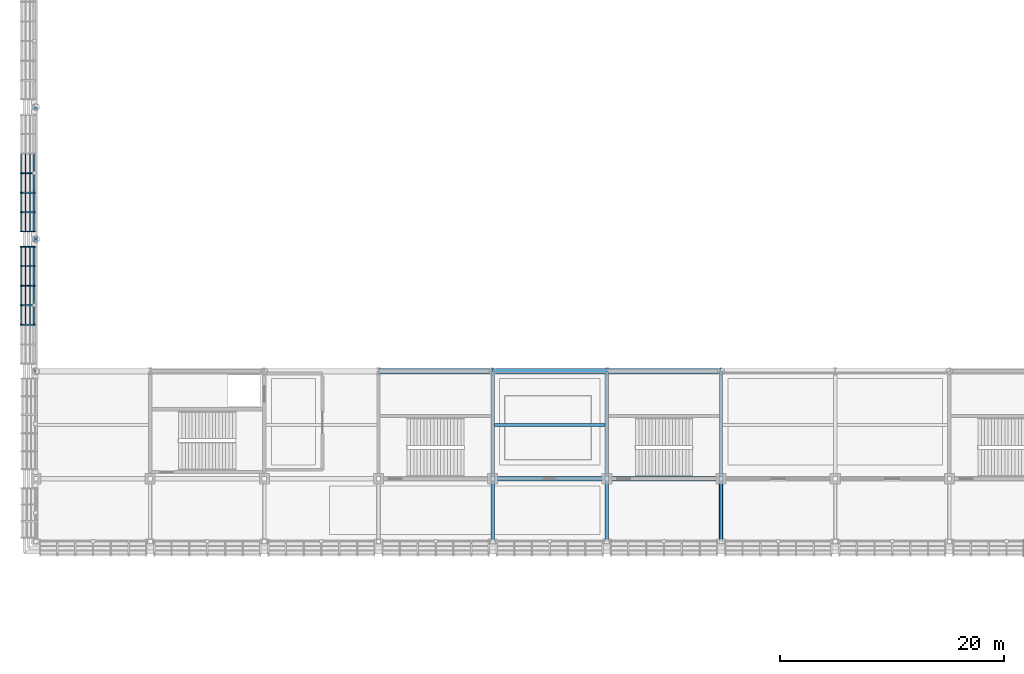
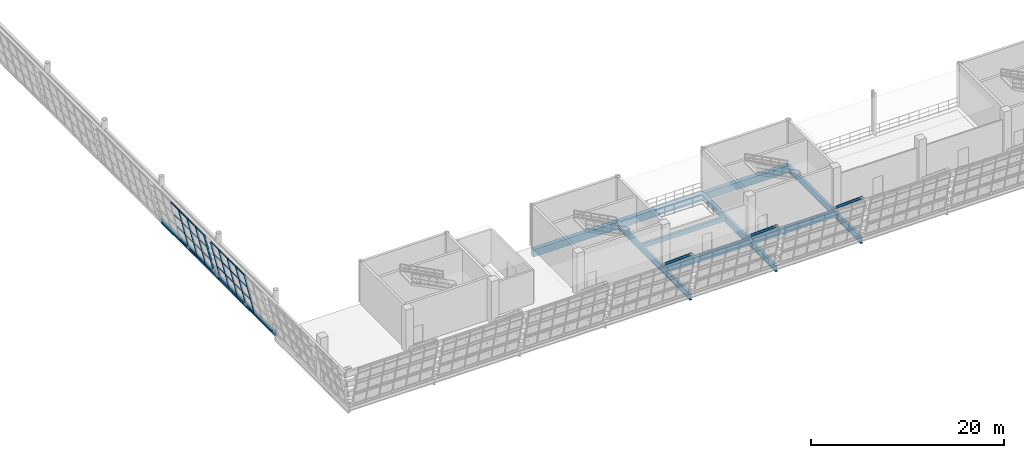
# One storey, part 26 of 175: 44 members, 11 beams, 2 elements without a shape of their own.
"""IFC4 building model written with IfcOpenShell, lengths in metres."""

from ifc_helpers import new_model, si_unit, direction, frame, origin, origin_2d, place, context, subcontext, project, spatial, rectangle, hollow_rectangle, hollow_circle, i_section, extrude, material, material_profile, profile_set, type_object, element, aggregate, save


model = new_model("IFC4")

# Units and contexts
model_context = context("Model", 3, precision=1e-05, world=origin(), true_north=direction((0.0, 1.0)))
body_context = subcontext(model_context, "Body", "Model", "MODEL_VIEW")
ifc_project = project(units=[si_unit("LENGTHUNIT", "METRE"), si_unit("AREAUNIT", "SQUARE_METRE"), si_unit("VOLUMEUNIT", "CUBIC_METRE"), si_unit("PLANEANGLEUNIT", "RADIAN"), si_unit("MASSUNIT", "GRAM", prefix="KILO")], contexts=[model_context])

# Site, building, storey
site_placement = place(None, origin())
site = spatial("IfcSite", under=ifc_project, at=site_placement, CompositionType="ELEMENT")
building_placement = place(site_placement, origin())
building = spatial("IfcBuilding", under=site, at=building_placement, Name="Brelvane Convention Centre", CompositionType="ELEMENT")
storey_placement = place(building_placement, frame((0.0, 0.0, 5.39990234375)))
storey = spatial("IfcBuildingStorey", under=building, at=storey_placement, Name="L01", CompositionType="ELEMENT", Elevation=5.39990234375)

# Curtain wall, members
ifc_material_1 = material(Name="Anodised Aluminium Alloy 6063-T6", Category="aluminium")
curtain_wall_type = type_object("IfcCurtainWallType", Name="Curtain Wall CW-HULL-S", PredefinedType="USERDEFINED", material=ifc_material_1)
curtain_wall_1_placement = place(storey_placement, origin())
curtain_wall_1 = element("IfcCurtainWall", 1, at=curtain_wall_1_placement, inside=storey, type_object=curtain_wall_type, Name="Curtain Wall CW-HULL-S L01-HULL-W-L01-1", ObjectType="UNITISED", PredefinedType="USERDEFINED")
ifc_material_2 = material(Name="Anodised Aluminium Alloy 6063-T6", Category="aluminium")
ifc_material_profile_1 = material_profile(ifc_material_2, hollow_rectangle(XDim=0.074951171875, YDim=0.199951171875, WallThickness=0.0048828125, InnerFilletRadius=0.0048828125, OuterFilletRadius=0.010009765625, at=origin_2d()), Name="ALU-M 200x75x5.0")
ifc_profile_set_1 = profile_set([ifc_material_profile_1], Name="Anodised Aluminium Alloy 6063-T6")
member_type_1 = type_object("IfcMemberType", Name="Curtain Mullion CW-M2", PredefinedType="MULLION", material=ifc_profile_set_1)
member_1_placement = place(storey_placement, frame((-0.139892578125, 32.949951171875, 0.02001953125), z_axis=(-0.228384734386, 0.0, 0.973570959458), x_axis=(0.0, -1.0, 0.0)))
member_1 = element("IfcMember", 2, at=member_1_placement, type_object=member_type_1, Name="CW-HULL-S mullion 3", PredefinedType="MULLION", context=body_context, shape_type="SweptSolid", body=[
    extrude(hollow_rectangle(XDim=0.074951171875, YDim=0.199951171875, WallThickness=0.0048828125, InnerFilletRadius=0.0048828125, OuterFilletRadius=0.010009765625, at=origin_2d()), origin(), (0.0, 0.0, 1.0), 5.197509765625),
])
member_2_placement = place(storey_placement, frame((-0.139892578125, 34.699951171875, 0.02001953125), z_axis=(-0.228384734386, 0.0, 0.973570959458), x_axis=(0.0, -1.0, 0.0)))
member_2 = element("IfcMember", 3, at=member_2_placement, type_object=member_type_1, Name="CW-HULL-S mullion 4", PredefinedType="MULLION", context=body_context, shape_type="SweptSolid", body=[
    extrude(hollow_rectangle(XDim=0.074951171875, YDim=0.199951171875, WallThickness=0.0048828125, InnerFilletRadius=0.0048828125, OuterFilletRadius=0.010009765625, at=origin_2d()), origin(), (0.0, 0.0, 1.0), 5.197509765625),
])
member_3_placement = place(storey_placement, frame((-0.139892578125, 36.449951171875, 0.02001953125), z_axis=(-0.228384734386, 0.0, 0.973570959458), x_axis=(0.0, -1.0, 0.0)))
member_3 = element("IfcMember", 4, at=member_3_placement, type_object=member_type_1, Name="CW-HULL-S mullion 5", PredefinedType="MULLION", context=body_context, shape_type="SweptSolid", body=[
    extrude(hollow_rectangle(XDim=0.074951171875, YDim=0.199951171875, WallThickness=0.0048828125, InnerFilletRadius=0.0048828125, OuterFilletRadius=0.010009765625, at=origin_2d()), origin(), (0.0, 0.0, 1.0), 5.197509765625),
])
member_4_placement = place(storey_placement, frame((-0.139892578125, 38.199951171875, 0.02001953125), z_axis=(-0.228384734386, 0.0, 0.973570959458), x_axis=(0.0, -1.0, 0.0)))
member_4 = element("IfcMember", 5, at=member_4_placement, type_object=member_type_1, Name="CW-HULL-S mullion 6", PredefinedType="MULLION", context=body_context, shape_type="SweptSolid", body=[
    extrude(hollow_rectangle(XDim=0.074951171875, YDim=0.199951171875, WallThickness=0.0048828125, InnerFilletRadius=0.0048828125, OuterFilletRadius=0.010009765625, at=origin_2d()), origin(), (0.0, 0.0, 1.0), 5.197509765625),
])
member_5_placement = place(storey_placement, frame((-0.139892578125, 39.91259765625, 0.02001953125), z_axis=(-0.228384734386, 0.0, 0.973570959458), x_axis=(0.0, -1.0, 0.0)))
member_5 = element("IfcMember", 6, at=member_5_placement, type_object=member_type_1, Name="CW-HULL-S mullion 7", PredefinedType="MULLION", context=body_context, shape_type="SweptSolid", body=[
    extrude(hollow_rectangle(XDim=0.074951171875, YDim=0.199951171875, WallThickness=0.0048828125, InnerFilletRadius=0.0048828125, OuterFilletRadius=0.010009765625, at=origin_2d()), origin(), (0.0, 0.0, 1.0), 5.197509765625),
])

curtain_wall_2_placement = place(storey_placement, origin())
curtain_wall_2 = element("IfcCurtainWall", 7, at=curtain_wall_2_placement, inside=storey, type_object=curtain_wall_type, Name="Curtain Wall CW-HULL-S L01-HULL-W-L01-2", ObjectType="UNITISED", PredefinedType="USERDEFINED")
member_6_placement = place(storey_placement, frame((-0.139892578125, 41.28759765625, 0.02001953125), z_axis=(-0.228384734386, 0.0, 0.973570959458), x_axis=(0.0, -1.0, 0.0)))
member_6 = element("IfcMember", 8, at=member_6_placement, type_object=member_type_1, Name="CW-HULL-S mullion 1", PredefinedType="MULLION", context=body_context, shape_type="SweptSolid", body=[
    extrude(hollow_rectangle(XDim=0.074951171875, YDim=0.199951171875, WallThickness=0.0048828125, InnerFilletRadius=0.0048828125, OuterFilletRadius=0.010009765625, at=origin_2d()), origin(), (0.0, 0.0, 1.0), 5.197509765625),
])
member_7_placement = place(storey_placement, frame((-0.139892578125, 43.0, 0.02001953125), z_axis=(-0.228384734386, 0.0, 0.973570959458), x_axis=(0.0, -1.0, 0.0)))
member_7 = element("IfcMember", 9, at=member_7_placement, type_object=member_type_1, Name="CW-HULL-S mullion 2", PredefinedType="MULLION", context=body_context, shape_type="SweptSolid", body=[
    extrude(hollow_rectangle(XDim=0.074951171875, YDim=0.199951171875, WallThickness=0.0048828125, InnerFilletRadius=0.0048828125, OuterFilletRadius=0.010009765625, at=origin_2d()), origin(), (0.0, 0.0, 1.0), 5.197509765625),
])
member_8_placement = place(storey_placement, frame((-0.139892578125, 44.75, 0.02001953125), z_axis=(-0.228384734386, 0.0, 0.973570959458), x_axis=(0.0, -1.0, 0.0)))
member_8 = element("IfcMember", 10, at=member_8_placement, type_object=member_type_1, Name="CW-HULL-S mullion 3", PredefinedType="MULLION", context=body_context, shape_type="SweptSolid", body=[
    extrude(hollow_rectangle(XDim=0.074951171875, YDim=0.199951171875, WallThickness=0.0048828125, InnerFilletRadius=0.0048828125, OuterFilletRadius=0.010009765625, at=origin_2d()), origin(), (0.0, 0.0, 1.0), 5.197509765625),
])
member_9_placement = place(storey_placement, frame((-0.139892578125, 46.5, 0.02001953125), z_axis=(-0.228384734386, 0.0, 0.973570959458), x_axis=(0.0, -1.0, 0.0)))
member_9 = element("IfcMember", 11, at=member_9_placement, type_object=member_type_1, Name="CW-HULL-S mullion 4", PredefinedType="MULLION", context=body_context, shape_type="SweptSolid", body=[
    extrude(hollow_rectangle(XDim=0.074951171875, YDim=0.199951171875, WallThickness=0.0048828125, InnerFilletRadius=0.0048828125, OuterFilletRadius=0.010009765625, at=origin_2d()), origin(), (0.0, 0.0, 1.0), 5.197509765625),
])

# Member
ifc_material_3 = material(Name="Anodised Aluminium Alloy 6063-T6", Category="aluminium")
ifc_material_profile_2 = material_profile(ifc_material_3, hollow_rectangle(XDim=0.070068359375, YDim=0.14990234375, WallThickness=0.00439453125, InnerFilletRadius=0.00439453125, OuterFilletRadius=0.009033203125, at=origin_2d()), Name="ALU-T 150x70x4.5")
ifc_profile_set_2 = profile_set([ifc_material_profile_2], Name="Anodised Aluminium Alloy 6063-T6")
member_type_2 = type_object("IfcMemberType", Name="Curtain Transom CW-T2", PredefinedType="USERDEFINED", material=ifc_profile_set_2)
member_10_placement = place(storey_placement, frame((-0.148193359375, 32.987548828125, 0.05517578125), z_axis=(0.0, 1.0, 0.0), x_axis=(-1.0, 0.0, 0.0)))
member_10 = element("IfcMember", 12, at=member_10_placement, type_object=member_type_2, Name="CW-HULL-S transom 3.1", ObjectType="TRANSOM", PredefinedType="USERDEFINED", context=body_context, shape_type="SweptSolid", body=[
    extrude(hollow_rectangle(XDim=0.070068359375, YDim=0.14990234375, WallThickness=0.00439453125, InnerFilletRadius=0.00439453125, OuterFilletRadius=0.009033203125, at=origin_2d()), origin(), (0.0, 0.0, 1.0), 1.675048828125),
])

member_11_placement = place(storey_placement, frame((-0.53564453125, 32.987548828125, 1.706787109375), z_axis=(0.0, 1.0, 0.0), x_axis=(-1.0, 0.0, 0.0)))
member_11 = element("IfcMember", 13, at=member_11_placement, type_object=member_type_2, Name="CW-HULL-S transom 3.2", ObjectType="TRANSOM", PredefinedType="USERDEFINED", context=body_context, shape_type="SweptSolid", body=[
    extrude(hollow_rectangle(XDim=0.070068359375, YDim=0.14990234375, WallThickness=0.00439453125, InnerFilletRadius=0.00439453125, OuterFilletRadius=0.009033203125, at=origin_2d()), origin(), (0.0, 0.0, 1.0), 1.675048828125),
])

member_12_placement = place(storey_placement, frame((-0.93115234375, 32.987548828125, 3.393310546875), z_axis=(0.0, 1.0, 0.0), x_axis=(-1.0, 0.0, 0.0)))
member_12 = element("IfcMember", 14, at=member_12_placement, type_object=member_type_2, Name="CW-HULL-S transom 3.3", ObjectType="TRANSOM", PredefinedType="USERDEFINED", context=body_context, shape_type="SweptSolid", body=[
    extrude(hollow_rectangle(XDim=0.070068359375, YDim=0.14990234375, WallThickness=0.00439453125, InnerFilletRadius=0.00439453125, OuterFilletRadius=0.009033203125, at=origin_2d()), origin(), (0.0, 0.0, 1.0), 1.675048828125),
])

member_13_placement = place(storey_placement, frame((-1.318603515625, 32.987548828125, 5.045166015625), z_axis=(0.0, 1.0, 0.0), x_axis=(-1.0, 0.0, 0.0)))
member_13 = element("IfcMember", 15, at=member_13_placement, type_object=member_type_2, Name="CW-HULL-S transom 3.4", ObjectType="TRANSOM", PredefinedType="USERDEFINED", context=body_context, shape_type="SweptSolid", body=[
    extrude(hollow_rectangle(XDim=0.070068359375, YDim=0.14990234375, WallThickness=0.00439453125, InnerFilletRadius=0.00439453125, OuterFilletRadius=0.009033203125, at=origin_2d()), origin(), (0.0, 0.0, 1.0), 1.675048828125),
])

member_14_placement = place(storey_placement, frame((-0.148193359375, 34.737548828125, 0.05517578125), z_axis=(0.0, 1.0, 0.0), x_axis=(-1.0, 0.0, 0.0)))
member_14 = element("IfcMember", 16, at=member_14_placement, type_object=member_type_2, Name="CW-HULL-S transom 4.1", ObjectType="TRANSOM", PredefinedType="USERDEFINED", context=body_context, shape_type="SweptSolid", body=[
    extrude(hollow_rectangle(XDim=0.070068359375, YDim=0.14990234375, WallThickness=0.00439453125, InnerFilletRadius=0.00439453125, OuterFilletRadius=0.009033203125, at=origin_2d()), origin(), (0.0, 0.0, 1.0), 1.675048828125),
])

member_15_placement = place(storey_placement, frame((-0.53564453125, 34.737548828125, 1.706787109375), z_axis=(0.0, 1.0, 0.0), x_axis=(-1.0, 0.0, 0.0)))
member_15 = element("IfcMember", 17, at=member_15_placement, type_object=member_type_2, Name="CW-HULL-S transom 4.2", ObjectType="TRANSOM", PredefinedType="USERDEFINED", context=body_context, shape_type="SweptSolid", body=[
    extrude(hollow_rectangle(XDim=0.070068359375, YDim=0.14990234375, WallThickness=0.00439453125, InnerFilletRadius=0.00439453125, OuterFilletRadius=0.009033203125, at=origin_2d()), origin(), (0.0, 0.0, 1.0), 1.675048828125),
])

member_16_placement = place(storey_placement, frame((-0.93115234375, 34.737548828125, 3.393310546875), z_axis=(0.0, 1.0, 0.0), x_axis=(-1.0, 0.0, 0.0)))
member_16 = element("IfcMember", 18, at=member_16_placement, type_object=member_type_2, Name="CW-HULL-S transom 4.3", ObjectType="TRANSOM", PredefinedType="USERDEFINED", context=body_context, shape_type="SweptSolid", body=[
    extrude(hollow_rectangle(XDim=0.070068359375, YDim=0.14990234375, WallThickness=0.00439453125, InnerFilletRadius=0.00439453125, OuterFilletRadius=0.009033203125, at=origin_2d()), origin(), (0.0, 0.0, 1.0), 1.675048828125),
])

member_17_placement = place(storey_placement, frame((-1.318603515625, 34.737548828125, 5.045166015625), z_axis=(0.0, 1.0, 0.0), x_axis=(-1.0, 0.0, 0.0)))
member_17 = element("IfcMember", 19, at=member_17_placement, type_object=member_type_2, Name="CW-HULL-S transom 4.4", ObjectType="TRANSOM", PredefinedType="USERDEFINED", context=body_context, shape_type="SweptSolid", body=[
    extrude(hollow_rectangle(XDim=0.070068359375, YDim=0.14990234375, WallThickness=0.00439453125, InnerFilletRadius=0.00439453125, OuterFilletRadius=0.009033203125, at=origin_2d()), origin(), (0.0, 0.0, 1.0), 1.675048828125),
])

member_18_placement = place(storey_placement, frame((-0.148193359375, 36.487548828125, 0.05517578125), z_axis=(0.0, 1.0, 0.0), x_axis=(-1.0, 0.0, 0.0)))
member_18 = element("IfcMember", 20, at=member_18_placement, type_object=member_type_2, Name="CW-HULL-S transom 5.1", ObjectType="TRANSOM", PredefinedType="USERDEFINED", context=body_context, shape_type="SweptSolid", body=[
    extrude(hollow_rectangle(XDim=0.070068359375, YDim=0.14990234375, WallThickness=0.00439453125, InnerFilletRadius=0.00439453125, OuterFilletRadius=0.009033203125, at=origin_2d()), origin(), (0.0, 0.0, 1.0), 1.675048828125),
])

member_19_placement = place(storey_placement, frame((-0.53564453125, 36.487548828125, 1.706787109375), z_axis=(0.0, 1.0, 0.0), x_axis=(-1.0, 0.0, 0.0)))
member_19 = element("IfcMember", 21, at=member_19_placement, type_object=member_type_2, Name="CW-HULL-S transom 5.2", ObjectType="TRANSOM", PredefinedType="USERDEFINED", context=body_context, shape_type="SweptSolid", body=[
    extrude(hollow_rectangle(XDim=0.070068359375, YDim=0.14990234375, WallThickness=0.00439453125, InnerFilletRadius=0.00439453125, OuterFilletRadius=0.009033203125, at=origin_2d()), origin(), (0.0, 0.0, 1.0), 1.675048828125),
])

member_20_placement = place(storey_placement, frame((-0.93115234375, 36.487548828125, 3.393310546875), z_axis=(0.0, 1.0, 0.0), x_axis=(-1.0, 0.0, 0.0)))
member_20 = element("IfcMember", 22, at=member_20_placement, type_object=member_type_2, Name="CW-HULL-S transom 5.3", ObjectType="TRANSOM", PredefinedType="USERDEFINED", context=body_context, shape_type="SweptSolid", body=[
    extrude(hollow_rectangle(XDim=0.070068359375, YDim=0.14990234375, WallThickness=0.00439453125, InnerFilletRadius=0.00439453125, OuterFilletRadius=0.009033203125, at=origin_2d()), origin(), (0.0, 0.0, 1.0), 1.675048828125),
])

member_21_placement = place(storey_placement, frame((-1.318603515625, 36.487548828125, 5.045166015625), z_axis=(0.0, 1.0, 0.0), x_axis=(-1.0, 0.0, 0.0)))
member_21 = element("IfcMember", 23, at=member_21_placement, type_object=member_type_2, Name="CW-HULL-S transom 5.4", ObjectType="TRANSOM", PredefinedType="USERDEFINED", context=body_context, shape_type="SweptSolid", body=[
    extrude(hollow_rectangle(XDim=0.070068359375, YDim=0.14990234375, WallThickness=0.00439453125, InnerFilletRadius=0.00439453125, OuterFilletRadius=0.009033203125, at=origin_2d()), origin(), (0.0, 0.0, 1.0), 1.675048828125),
])

member_22_placement = place(storey_placement, frame((-0.148193359375, 38.237548828125, 0.05517578125), z_axis=(0.0, 1.0, 0.0), x_axis=(-1.0, 0.0, 0.0)))
member_22 = element("IfcMember", 24, at=member_22_placement, type_object=member_type_2, Name="CW-HULL-S transom 6.1", ObjectType="TRANSOM", PredefinedType="USERDEFINED", context=body_context, shape_type="SweptSolid", body=[
    extrude(hollow_rectangle(XDim=0.070068359375, YDim=0.14990234375, WallThickness=0.00439453125, InnerFilletRadius=0.00439453125, OuterFilletRadius=0.009033203125, at=origin_2d()), origin(), (0.0, 0.0, 1.0), 1.637451171875),
])

member_23_placement = place(storey_placement, frame((-0.53564453125, 38.237548828125, 1.706787109375), z_axis=(0.0, 1.0, 0.0), x_axis=(-1.0, 0.0, 0.0)))
member_23 = element("IfcMember", 25, at=member_23_placement, type_object=member_type_2, Name="CW-HULL-S transom 6.2", ObjectType="TRANSOM", PredefinedType="USERDEFINED", context=body_context, shape_type="SweptSolid", body=[
    extrude(hollow_rectangle(XDim=0.070068359375, YDim=0.14990234375, WallThickness=0.00439453125, InnerFilletRadius=0.00439453125, OuterFilletRadius=0.009033203125, at=origin_2d()), origin(), (0.0, 0.0, 1.0), 1.637451171875),
])

member_24_placement = place(storey_placement, frame((-0.93115234375, 38.237548828125, 3.393310546875), z_axis=(0.0, 1.0, 0.0), x_axis=(-1.0, 0.0, 0.0)))
member_24 = element("IfcMember", 26, at=member_24_placement, type_object=member_type_2, Name="CW-HULL-S transom 6.3", ObjectType="TRANSOM", PredefinedType="USERDEFINED", context=body_context, shape_type="SweptSolid", body=[
    extrude(hollow_rectangle(XDim=0.070068359375, YDim=0.14990234375, WallThickness=0.00439453125, InnerFilletRadius=0.00439453125, OuterFilletRadius=0.009033203125, at=origin_2d()), origin(), (0.0, 0.0, 1.0), 1.637451171875),
])

member_25_placement = place(storey_placement, frame((-1.318603515625, 38.237548828125, 5.045166015625), z_axis=(0.0, 1.0, 0.0), x_axis=(-1.0, 0.0, 0.0)))
member_25 = element("IfcMember", 27, at=member_25_placement, type_object=member_type_2, Name="CW-HULL-S transom 6.4", ObjectType="TRANSOM", PredefinedType="USERDEFINED", context=body_context, shape_type="SweptSolid", body=[
    extrude(hollow_rectangle(XDim=0.070068359375, YDim=0.14990234375, WallThickness=0.00439453125, InnerFilletRadius=0.00439453125, OuterFilletRadius=0.009033203125, at=origin_2d()), origin(), (0.0, 0.0, 1.0), 1.637451171875),
])

aggregate(curtain_wall_1, [member_1, member_2, member_3, member_4, member_5, member_10, member_11, member_12, member_13, member_14, member_15, member_16, member_17, member_18, member_19, member_20, member_21, member_22, member_23, member_24, member_25])

member_26_placement = place(storey_placement, frame((-0.148193359375, 41.324951171875, 0.05517578125), z_axis=(0.0, 1.0, 0.0), x_axis=(-1.0, 0.0, 0.0)))
member_26 = element("IfcMember", 28, at=member_26_placement, type_object=member_type_2, Name="CW-HULL-S transom 1.1", ObjectType="TRANSOM", PredefinedType="USERDEFINED", context=body_context, shape_type="SweptSolid", body=[
    extrude(hollow_rectangle(XDim=0.070068359375, YDim=0.14990234375, WallThickness=0.00439453125, InnerFilletRadius=0.00439453125, OuterFilletRadius=0.009033203125, at=origin_2d()), origin(), (0.0, 0.0, 1.0), 1.637451171875),
])

member_27_placement = place(storey_placement, frame((-0.53564453125, 41.324951171875, 1.706787109375), z_axis=(0.0, 1.0, 0.0), x_axis=(-1.0, 0.0, 0.0)))
member_27 = element("IfcMember", 29, at=member_27_placement, type_object=member_type_2, Name="CW-HULL-S transom 1.2", ObjectType="TRANSOM", PredefinedType="USERDEFINED", context=body_context, shape_type="SweptSolid", body=[
    extrude(hollow_rectangle(XDim=0.070068359375, YDim=0.14990234375, WallThickness=0.00439453125, InnerFilletRadius=0.00439453125, OuterFilletRadius=0.009033203125, at=origin_2d()), origin(), (0.0, 0.0, 1.0), 1.637451171875),
])

member_28_placement = place(storey_placement, frame((-0.93115234375, 41.324951171875, 3.393310546875), z_axis=(0.0, 1.0, 0.0), x_axis=(-1.0, 0.0, 0.0)))
member_28 = element("IfcMember", 30, at=member_28_placement, type_object=member_type_2, Name="CW-HULL-S transom 1.3", ObjectType="TRANSOM", PredefinedType="USERDEFINED", context=body_context, shape_type="SweptSolid", body=[
    extrude(hollow_rectangle(XDim=0.070068359375, YDim=0.14990234375, WallThickness=0.00439453125, InnerFilletRadius=0.00439453125, OuterFilletRadius=0.009033203125, at=origin_2d()), origin(), (0.0, 0.0, 1.0), 1.637451171875),
])

member_29_placement = place(storey_placement, frame((-1.318603515625, 41.324951171875, 5.045166015625), z_axis=(0.0, 1.0, 0.0), x_axis=(-1.0, 0.0, 0.0)))
member_29 = element("IfcMember", 31, at=member_29_placement, type_object=member_type_2, Name="CW-HULL-S transom 1.4", ObjectType="TRANSOM", PredefinedType="USERDEFINED", context=body_context, shape_type="SweptSolid", body=[
    extrude(hollow_rectangle(XDim=0.070068359375, YDim=0.14990234375, WallThickness=0.00439453125, InnerFilletRadius=0.00439453125, OuterFilletRadius=0.009033203125, at=origin_2d()), origin(), (0.0, 0.0, 1.0), 1.637451171875),
])

member_30_placement = place(storey_placement, frame((-0.148193359375, 43.03759765625, 0.05517578125), z_axis=(0.0, 1.0, 0.0), x_axis=(-1.0, 0.0, 0.0)))
member_30 = element("IfcMember", 32, at=member_30_placement, type_object=member_type_2, Name="CW-HULL-S transom 2.1", ObjectType="TRANSOM", PredefinedType="USERDEFINED", context=body_context, shape_type="SweptSolid", body=[
    extrude(hollow_rectangle(XDim=0.070068359375, YDim=0.14990234375, WallThickness=0.00439453125, InnerFilletRadius=0.00439453125, OuterFilletRadius=0.009033203125, at=origin_2d()), origin(), (0.0, 0.0, 1.0), 1.6748046875),
])

member_31_placement = place(storey_placement, frame((-0.53564453125, 43.03759765625, 1.706787109375), z_axis=(0.0, 1.0, 0.0), x_axis=(-1.0, 0.0, 0.0)))
member_31 = element("IfcMember", 33, at=member_31_placement, type_object=member_type_2, Name="CW-HULL-S transom 2.2", ObjectType="TRANSOM", PredefinedType="USERDEFINED", context=body_context, shape_type="SweptSolid", body=[
    extrude(hollow_rectangle(XDim=0.070068359375, YDim=0.14990234375, WallThickness=0.00439453125, InnerFilletRadius=0.00439453125, OuterFilletRadius=0.009033203125, at=origin_2d()), origin(), (0.0, 0.0, 1.0), 1.6748046875),
])

member_32_placement = place(storey_placement, frame((-0.93115234375, 43.03759765625, 3.393310546875), z_axis=(0.0, 1.0, 0.0), x_axis=(-1.0, 0.0, 0.0)))
member_32 = element("IfcMember", 34, at=member_32_placement, type_object=member_type_2, Name="CW-HULL-S transom 2.3", ObjectType="TRANSOM", PredefinedType="USERDEFINED", context=body_context, shape_type="SweptSolid", body=[
    extrude(hollow_rectangle(XDim=0.070068359375, YDim=0.14990234375, WallThickness=0.00439453125, InnerFilletRadius=0.00439453125, OuterFilletRadius=0.009033203125, at=origin_2d()), origin(), (0.0, 0.0, 1.0), 1.6748046875),
])

member_33_placement = place(storey_placement, frame((-1.318603515625, 43.03759765625, 5.045166015625), z_axis=(0.0, 1.0, 0.0), x_axis=(-1.0, 0.0, 0.0)))
member_33 = element("IfcMember", 35, at=member_33_placement, type_object=member_type_2, Name="CW-HULL-S transom 2.4", ObjectType="TRANSOM", PredefinedType="USERDEFINED", context=body_context, shape_type="SweptSolid", body=[
    extrude(hollow_rectangle(XDim=0.070068359375, YDim=0.14990234375, WallThickness=0.00439453125, InnerFilletRadius=0.00439453125, OuterFilletRadius=0.009033203125, at=origin_2d()), origin(), (0.0, 0.0, 1.0), 1.6748046875),
])

member_34_placement = place(storey_placement, frame((-0.148193359375, 44.78759765625, 0.05517578125), z_axis=(0.0, 1.0, 0.0), x_axis=(-1.0, 0.0, 0.0)))
member_34 = element("IfcMember", 36, at=member_34_placement, type_object=member_type_2, Name="CW-HULL-S transom 3.1", ObjectType="TRANSOM", PredefinedType="USERDEFINED", context=body_context, shape_type="SweptSolid", body=[
    extrude(hollow_rectangle(XDim=0.070068359375, YDim=0.14990234375, WallThickness=0.00439453125, InnerFilletRadius=0.00439453125, OuterFilletRadius=0.009033203125, at=origin_2d()), origin(), (0.0, 0.0, 1.0), 1.6748046875),
])

member_35_placement = place(storey_placement, frame((-0.53564453125, 44.78759765625, 1.706787109375), z_axis=(0.0, 1.0, 0.0), x_axis=(-1.0, 0.0, 0.0)))
member_35 = element("IfcMember", 37, at=member_35_placement, type_object=member_type_2, Name="CW-HULL-S transom 3.2", ObjectType="TRANSOM", PredefinedType="USERDEFINED", context=body_context, shape_type="SweptSolid", body=[
    extrude(hollow_rectangle(XDim=0.070068359375, YDim=0.14990234375, WallThickness=0.00439453125, InnerFilletRadius=0.00439453125, OuterFilletRadius=0.009033203125, at=origin_2d()), origin(), (0.0, 0.0, 1.0), 1.6748046875),
])

member_36_placement = place(storey_placement, frame((-0.93115234375, 44.78759765625, 3.393310546875), z_axis=(0.0, 1.0, 0.0), x_axis=(-1.0, 0.0, 0.0)))
member_36 = element("IfcMember", 38, at=member_36_placement, type_object=member_type_2, Name="CW-HULL-S transom 3.3", ObjectType="TRANSOM", PredefinedType="USERDEFINED", context=body_context, shape_type="SweptSolid", body=[
    extrude(hollow_rectangle(XDim=0.070068359375, YDim=0.14990234375, WallThickness=0.00439453125, InnerFilletRadius=0.00439453125, OuterFilletRadius=0.009033203125, at=origin_2d()), origin(), (0.0, 0.0, 1.0), 1.6748046875),
])

member_37_placement = place(storey_placement, frame((-1.318603515625, 44.78759765625, 5.045166015625), z_axis=(0.0, 1.0, 0.0), x_axis=(-1.0, 0.0, 0.0)))
member_37 = element("IfcMember", 39, at=member_37_placement, type_object=member_type_2, Name="CW-HULL-S transom 3.4", ObjectType="TRANSOM", PredefinedType="USERDEFINED", context=body_context, shape_type="SweptSolid", body=[
    extrude(hollow_rectangle(XDim=0.070068359375, YDim=0.14990234375, WallThickness=0.00439453125, InnerFilletRadius=0.00439453125, OuterFilletRadius=0.009033203125, at=origin_2d()), origin(), (0.0, 0.0, 1.0), 1.6748046875),
])

member_38_placement = place(storey_placement, frame((-0.148193359375, 46.53759765625, 0.05517578125), z_axis=(0.0, 1.0, 0.0), x_axis=(-1.0, 0.0, 0.0)))
member_38 = element("IfcMember", 40, at=member_38_placement, type_object=member_type_2, Name="CW-HULL-S transom 4.1", ObjectType="TRANSOM", PredefinedType="USERDEFINED", context=body_context, shape_type="SweptSolid", body=[
    extrude(hollow_rectangle(XDim=0.070068359375, YDim=0.14990234375, WallThickness=0.00439453125, InnerFilletRadius=0.00439453125, OuterFilletRadius=0.009033203125, at=origin_2d()), origin(), (0.0, 0.0, 1.0), 1.6748046875),
])

member_39_placement = place(storey_placement, frame((-0.53564453125, 46.53759765625, 1.706787109375), z_axis=(0.0, 1.0, 0.0), x_axis=(-1.0, 0.0, 0.0)))
member_39 = element("IfcMember", 41, at=member_39_placement, type_object=member_type_2, Name="CW-HULL-S transom 4.2", ObjectType="TRANSOM", PredefinedType="USERDEFINED", context=body_context, shape_type="SweptSolid", body=[
    extrude(hollow_rectangle(XDim=0.070068359375, YDim=0.14990234375, WallThickness=0.00439453125, InnerFilletRadius=0.00439453125, OuterFilletRadius=0.009033203125, at=origin_2d()), origin(), (0.0, 0.0, 1.0), 1.6748046875),
])

member_40_placement = place(storey_placement, frame((-0.93115234375, 46.53759765625, 3.393310546875), z_axis=(0.0, 1.0, 0.0), x_axis=(-1.0, 0.0, 0.0)))
member_40 = element("IfcMember", 42, at=member_40_placement, type_object=member_type_2, Name="CW-HULL-S transom 4.3", ObjectType="TRANSOM", PredefinedType="USERDEFINED", context=body_context, shape_type="SweptSolid", body=[
    extrude(hollow_rectangle(XDim=0.070068359375, YDim=0.14990234375, WallThickness=0.00439453125, InnerFilletRadius=0.00439453125, OuterFilletRadius=0.009033203125, at=origin_2d()), origin(), (0.0, 0.0, 1.0), 1.6748046875),
])

member_41_placement = place(storey_placement, frame((-1.318603515625, 46.53759765625, 5.045166015625), z_axis=(0.0, 1.0, 0.0), x_axis=(-1.0, 0.0, 0.0)))
member_41 = element("IfcMember", 43, at=member_41_placement, type_object=member_type_2, Name="CW-HULL-S transom 4.4", ObjectType="TRANSOM", PredefinedType="USERDEFINED", context=body_context, shape_type="SweptSolid", body=[
    extrude(hollow_rectangle(XDim=0.070068359375, YDim=0.14990234375, WallThickness=0.00439453125, InnerFilletRadius=0.00439453125, OuterFilletRadius=0.009033203125, at=origin_2d()), origin(), (0.0, 0.0, 1.0), 1.6748046875),
])

aggregate(curtain_wall_2, [member_6, member_7, member_8, member_9, member_26, member_27, member_28, member_29, member_30, member_31, member_32, member_33, member_34, member_35, member_36, member_37, member_38, member_39, member_40, member_41])

# Beams
ifc_material_4 = material(Name="Concrete M40", Category="concrete")
ifc_material_profile_3 = material_profile(ifc_material_4, rectangle(XDim=0.5, YDim=0.89990234375, at=origin_2d()), Name="RC 500x900")
ifc_profile_set_3 = profile_set([ifc_material_profile_3], Name="Concrete M40")
beam_type_1 = type_object("IfcBeamType", Name="RC Beam B-RC4 (RC 500x900)", PredefinedType="BEAM", material=ifc_profile_set_3)
for number, where, z_axis, x_axis, name in (
    (44, (30.60009765625, 28.800048828125, -0.7099609375), (1.0, 0.0, 0.0), (0.0, 1.0, 0.0), "L01 Beam 4-5/D"),
    (45, (40.800048828125, 28.800048828125, -0.7099609375), (1.0, 0.0, 0.0), (0.0, 1.0, 0.0), "L01 Beam 5-6/D"),
    (46, (51.0, 28.800048828125, -0.7099609375), (1.0, 0.0, 0.0), (0.0, 1.0, 0.0), "L01 Beam 6-7/D"),
):
    element("IfcBeam", number, at=place(storey_placement, frame(where, z_axis=z_axis, x_axis=x_axis)), inside=storey, type_object=beam_type_1, Name=name, PredefinedType="BEAM", context=body_context, shape_type="SweptSolid", body=[
        extrude(rectangle(XDim=0.5, YDim=0.89990234375, at=origin_2d()), origin(), (0.0, 0.0, 1.0), 10.199951171875),
    ])
ifc_material_5 = material(Name="Concrete M40", Category="concrete")
ifc_material_profile_4 = material_profile(ifc_material_5, rectangle(XDim=0.300048828125, YDim=0.550048828125, at=origin_2d()), Name="RC 300x550")
ifc_profile_set_4 = profile_set([ifc_material_profile_4], Name="Concrete M40")
beam_type_2 = type_object("IfcBeamType", Name="RC Joist J-RC1 (RC 300x550)", PredefinedType="JOIST", material=ifc_profile_set_4)
beam_1_placement = place(storey_placement, frame((40.949951171875, 24.0, -0.534912109375), z_axis=(1.0, 0.0, 0.0), x_axis=(0.0, 1.0, 0.0)))
element("IfcBeam", 47, at=beam_1_placement, inside=storey, type_object=beam_type_2, Name="L01 Secondary Joist 5-6/CD", PredefinedType="JOIST", context=body_context, shape_type="SweptSolid", body=[
    extrude(rectangle(XDim=0.300048828125, YDim=0.550048828125, at=origin_2d()), origin(), (0.0, 0.0, 1.0), 9.900146484375),
])
ifc_material_6 = material(Name="Concrete M40", Category="concrete")
ifc_material_profile_5 = material_profile(ifc_material_6, rectangle(XDim=0.39990234375, YDim=0.75, at=origin_2d()), Name="RC 400x750")
ifc_profile_set_5 = profile_set([ifc_material_profile_5], Name="Concrete M40")
beam_type_3 = type_object("IfcBeamType", Name="RC Spandrel SP-RC1 (RC 400x750)", PredefinedType="SPANDREL", material=ifc_profile_set_5)
for number, where, z_axis, x_axis, name in (
    (48, (40.800048828125, 19.199951171875, -0.635009765625), (1.0, 0.0, 0.0), (0.0, 1.0, 0.0), "L01 Beam 5-6/C"),
    (49, (51.0, 19.199951171875, -0.635009765625), (1.0, 0.0, 0.0), (0.0, 1.0, 0.0), "L01 Beam 6-7/C"),
):
    element("IfcBeam", number, at=place(storey_placement, frame(where, z_axis=z_axis, x_axis=x_axis)), inside=storey, type_object=beam_type_3, Name=name, PredefinedType="SPANDREL", context=body_context, shape_type="SweptSolid", body=[
        extrude(rectangle(XDim=0.39990234375, YDim=0.75, at=origin_2d()), origin(), (0.0, 0.0, 1.0), 10.199951171875),
    ])
ifc_material_7 = material(Name="Steel E450 (450 MPa)", Category="steel")
ifc_material_profile_6 = material_profile(ifc_material_7, i_section(OverallWidth=0.300048828125, OverallDepth=0.800048828125, WebThickness=0.015380859375, FlangeThickness=0.030029296875, FilletRadius=0.027099609375, at=origin_2d()), Name="NPB 800x300")
ifc_profile_set_6 = profile_set([ifc_material_profile_6], Name="Steel E450 (450 MPa)")
beam_type_4 = type_object("IfcBeamType", Name="Steel Beam B-ST2 (NPB 800x300)", PredefinedType="BEAM", material=ifc_profile_set_6)
for number, where, z_axis, x_axis, name in (
    (50, (40.800048828125, 13.60009765625, -0.659912109375), (0.0, 1.0, 0.0), (-1.0, 0.0, 0.0), "L01 Hull Cantilever Girder 5"),
    (51, (51.0, 13.60009765625, -0.659912109375), (0.0, 1.0, 0.0), (-1.0, 0.0, 0.0), "L01 Hull Cantilever Girder 6"),
    (52, (61.199951171875, 13.60009765625, -0.659912109375), (0.0, 1.0, 0.0), (-1.0, 0.0, 0.0), "L01 Hull Cantilever Girder 7"),
):
    element("IfcBeam", number, at=place(storey_placement, frame(where, z_axis=z_axis, x_axis=x_axis)), inside=storey, type_object=beam_type_4, Name=name, PredefinedType="BEAM", context=body_context, shape_type="SweptSolid", body=[
        extrude(i_section(OverallWidth=0.300048828125, OverallDepth=0.800048828125, WebThickness=0.015380859375, FlangeThickness=0.030029296875, FilletRadius=0.027099609375, at=origin_2d()), origin(), (0.0, 0.0, 1.0), 15.199951171875),
    ])
ifc_material_8 = material(Name="Steel E350 (350 MPa)", Category="steel")
ifc_material_profile_7 = material_profile(ifc_material_8, i_section(OverallWidth=0.25, OverallDepth=0.5, WebThickness=0.010009765625, FlangeThickness=0.0146484375, FilletRadius=0.01611328125, at=origin_2d()), Name="ISWB 500")
ifc_profile_set_7 = profile_set([ifc_material_profile_7], Name="Steel E350 (350 MPa)")
beam_type_5 = type_object("IfcBeamType", Name="Steel Spandrel SP-ST1 (ISWB 500)", PredefinedType="SPANDREL", material=ifc_profile_set_7)
beam_2_placement = place(storey_placement, frame((0.0, 28.800048828125, -0.25), z_axis=(0.0, 1.0, 0.0), x_axis=(-1.0, 0.0, 0.0)))
element("IfcBeam", 53, at=beam_2_placement, inside=storey, type_object=beam_type_5, Name="West Hull Wall Girt L01-1", PredefinedType="SPANDREL", context=body_context, shape_type="SweptSolid", body=[
    extrude(i_section(OverallWidth=0.25, OverallDepth=0.5, WebThickness=0.010009765625, FlangeThickness=0.0146484375, FilletRadius=0.01611328125, at=origin_2d()), origin(), (0.0, 0.0, 1.0), 11.800048828125),
])
beam_3_placement = place(storey_placement, frame((0.0, 40.60009765625, -0.25), z_axis=(0.0, 1.0, 0.0), x_axis=(-1.0, 0.0, 0.0)))
element("IfcBeam", 54, at=beam_3_placement, inside=storey, type_object=beam_type_5, Name="West Hull Wall Girt L01-2", PredefinedType="SPANDREL", context=body_context, shape_type="SweptSolid", body=[
    extrude(i_section(OverallWidth=0.25, OverallDepth=0.5, WebThickness=0.010009765625, FlangeThickness=0.0146484375, FilletRadius=0.01611328125, at=origin_2d()), origin(), (0.0, 0.0, 1.0), 11.7998046875),
])

# Members
ifc_material_9 = material(Name="Steel E450 (450 MPa)", Category="steel")
ifc_material_profile_8 = material_profile(ifc_material_9, hollow_circle(Radius=0.161865234375, WallThickness=0.012451171875, at=origin_2d()), Name="CHS 323.9x12.5")
ifc_profile_set_8 = profile_set([ifc_material_profile_8], Name="Steel E450 (450 MPa)")
member_type_3 = type_object("IfcMemberType", Name="Steel Strut HS-ST2 (CHS 323.9x12.5)", PredefinedType="STRUT", material=ifc_profile_set_8)
for number, where, z_axis, x_axis, name in (
    (55, (40.800048828125, 19.199951171875, 0.050048828125), (0.0, -0.767976969641, 0.640477457918), (1.0, 0.0, 0.0), "Hull Overhang Raked Strut L01 V1-5"),
    (56, (51.0, 19.199951171875, 0.050048828125), (0.0, -0.767976969641, 0.640477457918), (1.0, 0.0, 0.0), "Hull Overhang Raked Strut L01 V1-6"),
    (57, (61.199951171875, 19.199951171875, 0.050048828125), (0.0, -0.767976969641, 0.640477457918), (1.0, 0.0, 0.0), "Hull Overhang Raked Strut L01 V1-7"),
):
    element("IfcMember", number, at=place(storey_placement, frame(where, z_axis=z_axis, x_axis=x_axis)), inside=storey, type_object=member_type_3, Name=name, PredefinedType="STRUT", context=body_context, shape_type="SweptSolid", body=[
        extrude(hollow_circle(Radius=0.161865234375, WallThickness=0.012451171875, at=origin_2d()), origin(), (0.0, 0.0, 1.0), 7.291748046875),
    ])

save(model, "model.ifc")
